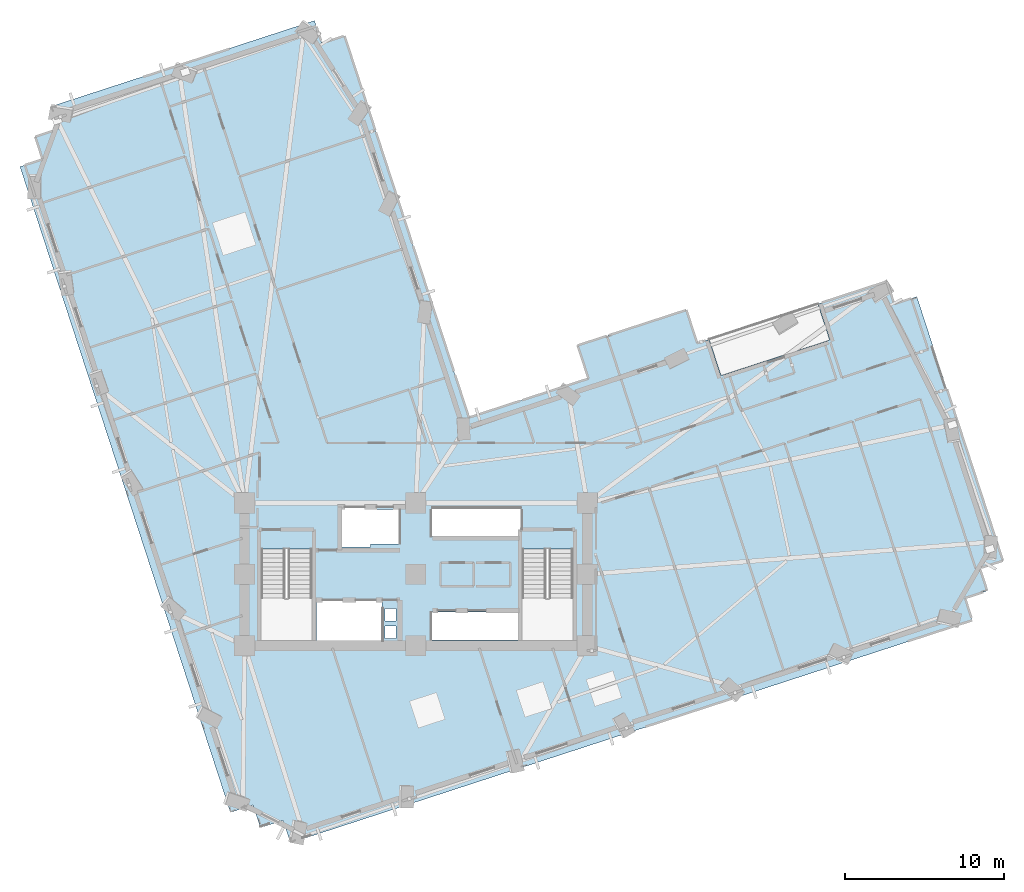
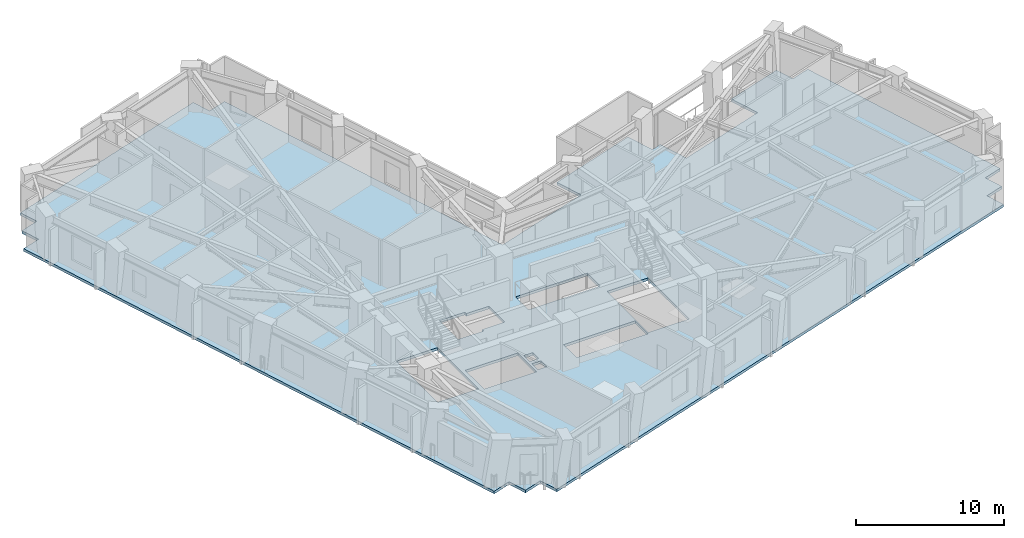
# One storey, part 4 of 16: 1 slab.
"""IFC4 building model written with IfcOpenShell, lengths in metres."""

from ifc_helpers import new_model, si_unit, direction, frame, origin, place, context, subcontext, project, spatial, polyline, outline, extrude, material, layer, layer_set, type_object, element, save


model = new_model("IFC4")

# Units and contexts
model_context = context("Model", 3, precision=1e-05, world=origin(), true_north=direction((0.0, 1.0)))
body_context = subcontext(model_context, "Body", "Model", "MODEL_VIEW")
ifc_project = project(units=[si_unit("LENGTHUNIT", "METRE"), si_unit("AREAUNIT", "SQUARE_METRE"), si_unit("VOLUMEUNIT", "CUBIC_METRE"), si_unit("PLANEANGLEUNIT", "RADIAN"), si_unit("MASSUNIT", "GRAM", prefix="KILO")], contexts=[model_context])

# Site, building, storey
site_placement = place(None, origin())
site = spatial("IfcSite", under=ifc_project, at=site_placement, CompositionType="ELEMENT")
building_placement = place(site_placement, origin())
building = spatial("IfcBuilding", under=site, at=building_placement, Name="Gaonmaruhae Medical Tower", CompositionType="ELEMENT")
storey_placement = place(building_placement, frame((0.0, 0.0, 100.39990234375)))
storey = spatial("IfcBuildingStorey", under=building, at=storey_placement, Name="L23", CompositionType="ELEMENT", Elevation=100.39990234375)

# Slab
ifc_material = material(Name="Concrete C40/50", Category="concrete")
ifc_layer = layer(ifc_material, 0.219970703125)
ifc_layer_set = layer_set([ifc_layer], Name="Concrete C40/50")
slab_type = type_object("IfcSlabType", Name="FS-220 Clinical Ward Composite Floor Slab", PredefinedType="FLOOR", material=ifc_layer_set)
slab_placement = place(storey_placement, frame((0.0, 0.0, -0.219970703125)))
element("IfcSlab", 1, at=slab_placement, inside=storey, type_object=slab_type, Name="L23 Structural Slab 1", PredefinedType="FLOOR", context=body_context, shape_type="SweptSolid", body=[
    extrude(outline(polyline([(54.944580078125, 29.3369140625), (56.370849609375, 29.801513671875), (61.793212890625, 13.162841796875), (60.366943359375, 12.697998046875), (60.831787109375, 11.27197265625), (59.405517578125, 10.80712890625), (59.870361328125, 9.381103515625), (16.894775390625, -4.6240234375), (16.43017578125, -3.197998046875), (15.00390625, -3.66259765625), (14.5390625, -2.236572265625), (13.11279296875, -2.701416015625), (-0.1484375, 37.992431640625), (1.277587890625, 38.45703125), (0.81298828125, 39.88330078125), (2.239013671875, 40.34814453125), (1.7744140625, 41.7744140625), (18.4130859375, 47.196533203125), (18.8779296875, 45.7705078125), (20.303955078125, 46.235107421875), (28.143310546875, 22.180419921875), (35.680908203125, 24.63671875), (34.999267578125, 26.728515625), (41.844970703125, 28.95947265625), (42.526611328125, 26.86767578125), (43.287353515625, 27.115478515625), (44.031005859375, 24.83349609375), (50.876708984375, 27.064453125), (50.1328125, 29.346435546875), (54.47998046875, 30.762939453125), (54.944580078125, 29.3369140625)]), holes=[polyline([(23.550048828125, 8.25), (22.85009765625, 8.25), (22.85009765625, 9.050048828125), (23.550048828125, 9.050048828125), (23.550048828125, 8.25)]), polyline([(25.824951171875, 9.925048828125), (31.425048828125, 9.925048828125), (31.425048828125, 8.175048828125), (25.824951171875, 8.175048828125), (25.824951171875, 9.925048828125)]), polyline([(22.64990234375, 10.625), (22.64990234375, 8.074951171875), (18.550048828125, 8.074951171875), (18.550048828125, 10.625), (22.64990234375, 10.625)]), polyline([(23.550048828125, 9.35009765625), (22.85009765625, 9.35009765625), (22.85009765625, 10.14990234375), (23.550048828125, 10.14990234375), (23.550048828125, 9.35009765625)]), polyline([(15.050048828125, 13.889892578125), (18.25, 13.889892578125), (18.25, 8.300048828125), (15.050048828125, 8.300048828125), (15.050048828125, 13.889892578125)]), polyline([(31.5, 13.889892578125), (34.699951171875, 13.889892578125), (34.699951171875, 8.300048828125), (31.5, 8.300048828125), (31.5, 13.889892578125)]), polyline([(21.949951171875, 14.22509765625), (21.949951171875, 14.02490234375), (19.949951171875, 14.02490234375), (19.949951171875, 16.574951171875), (21.949951171875, 16.574951171875), (21.949951171875, 16.375), (23.72509765625, 16.375), (23.72509765625, 14.22509765625), (21.949951171875, 14.22509765625)]), polyline([(25.824951171875, 16.425048828125), (31.425048828125, 16.425048828125), (31.425048828125, 14.675048828125), (25.824951171875, 14.675048828125), (25.824951171875, 16.425048828125)])]), origin(), (0.0, 0.0, 1.0), 0.219970703125),
])

save(model, "model.ifc")
